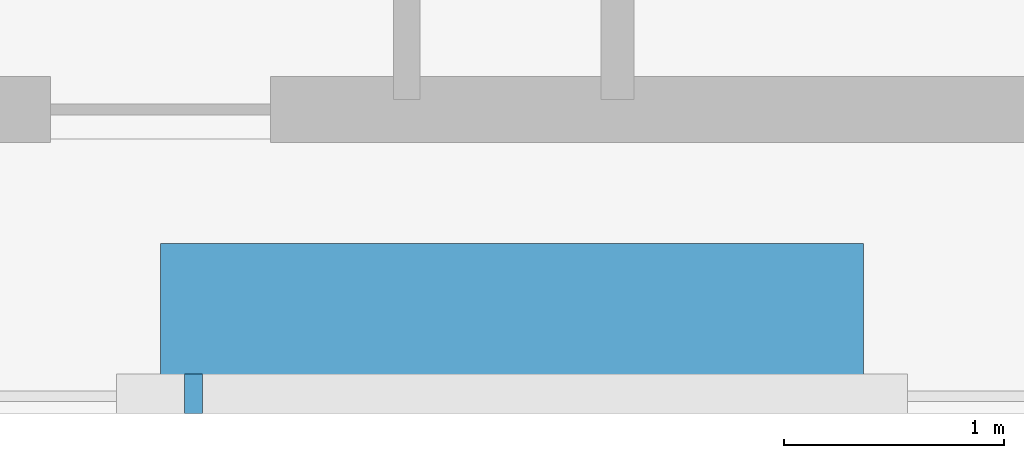
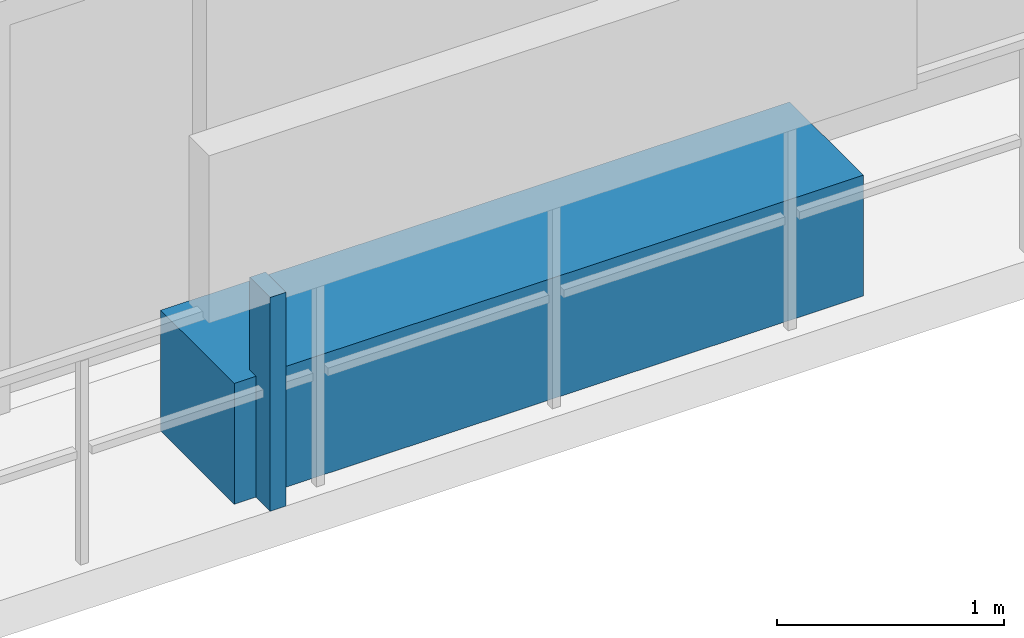
# One storey, part 31 of 35: 2 discrete accessories.
"""IFC4 building model written with IfcOpenShell, lengths in metres."""

from ifc_helpers import new_model, si_unit, direction, frame, origin, origin_2d, place, context, subcontext, project, spatial, rectangle, extrude, material, type_object, element, save


model = new_model("IFC4")

# Units and contexts
model_context = context("Model", 3, precision=1e-05, world=origin(), true_north=direction((0.0, 1.0)))
body_context = subcontext(model_context, "Body", "Model", "MODEL_VIEW")
ifc_project = project(units=[si_unit("LENGTHUNIT", "METRE"), si_unit("AREAUNIT", "SQUARE_METRE"), si_unit("VOLUMEUNIT", "CUBIC_METRE"), si_unit("PLANEANGLEUNIT", "RADIAN"), si_unit("MASSUNIT", "GRAM", prefix="KILO")], contexts=[model_context])

# Site, building, storey
site_placement = place(None, origin())
site = spatial("IfcSite", under=ifc_project, at=site_placement, CompositionType="ELEMENT")
building_placement = place(site_placement, origin())
building = spatial("IfcBuilding", under=site, at=building_placement, Name="Thornwick Lancets Civic Towers", CompositionType="ELEMENT")
storey_placement = place(building_placement, frame((0.0, 0.0, 225.89990234375)))
storey = spatial("IfcBuildingStorey", under=building, at=storey_placement, Name="L60", CompositionType="ELEMENT", Elevation=225.89990234375)

# Discrete accessories
ifc_material_1 = material(Name="Planted terracotta greenery planter", Category="masonry")
discrete_accessory_type_1 = type_object("IfcDiscreteAccessoryType", Name="ACC_PLANTER_BOX", PredefinedType="USERDEFINED", material=ifc_material_1)
discrete_accessory_1_placement = place(storey_placement, frame((88.5, 2.300048828125, 0.000244140625), z_axis=(0.0, 0.0, 1.0), x_axis=(1.0, 0.0, 0.0)))
element("IfcDiscreteAccessory", 1, at=discrete_accessory_1_placement, inside=storey, type_object=discrete_accessory_type_1, Name="L60 Tower B Balcony Greenery Planter S", ObjectType="PLANTER", PredefinedType="USERDEFINED", context=body_context, shape_type="SweptSolid", body=[
    extrude(rectangle(XDim=3.199951171875, YDim=0.64990234375, at=origin_2d()), origin(), (0.0, 0.0, 1.0), 0.64990234375),
])
ifc_material_2 = material(Name="Stainless steel S355", Category="steel")
discrete_accessory_type_2 = type_object("IfcDiscreteAccessoryType", Name="ACC_SCREEN_BRACKET", PredefinedType="BRACKET", material=ifc_material_2)
discrete_accessory_2_placement = place(storey_placement, frame((87.050048828125, 1.93994140625, 0.000244140625), z_axis=(0.0, 0.0, 1.0), x_axis=(1.0, 0.0, 0.0)))
element("IfcDiscreteAccessory", 2, at=discrete_accessory_2_placement, inside=storey, type_object=discrete_accessory_type_2, Name="L60 Tower B Balcony Screen Stanchion Bracket S-1", PredefinedType="BRACKET", context=body_context, shape_type="SweptSolid", body=[
    extrude(rectangle(XDim=0.080078125, YDim=0.179931640625, at=origin_2d()), origin(), (0.0, 0.0, 1.0), 1.14990234375),
])

save(model, "model.ifc")
